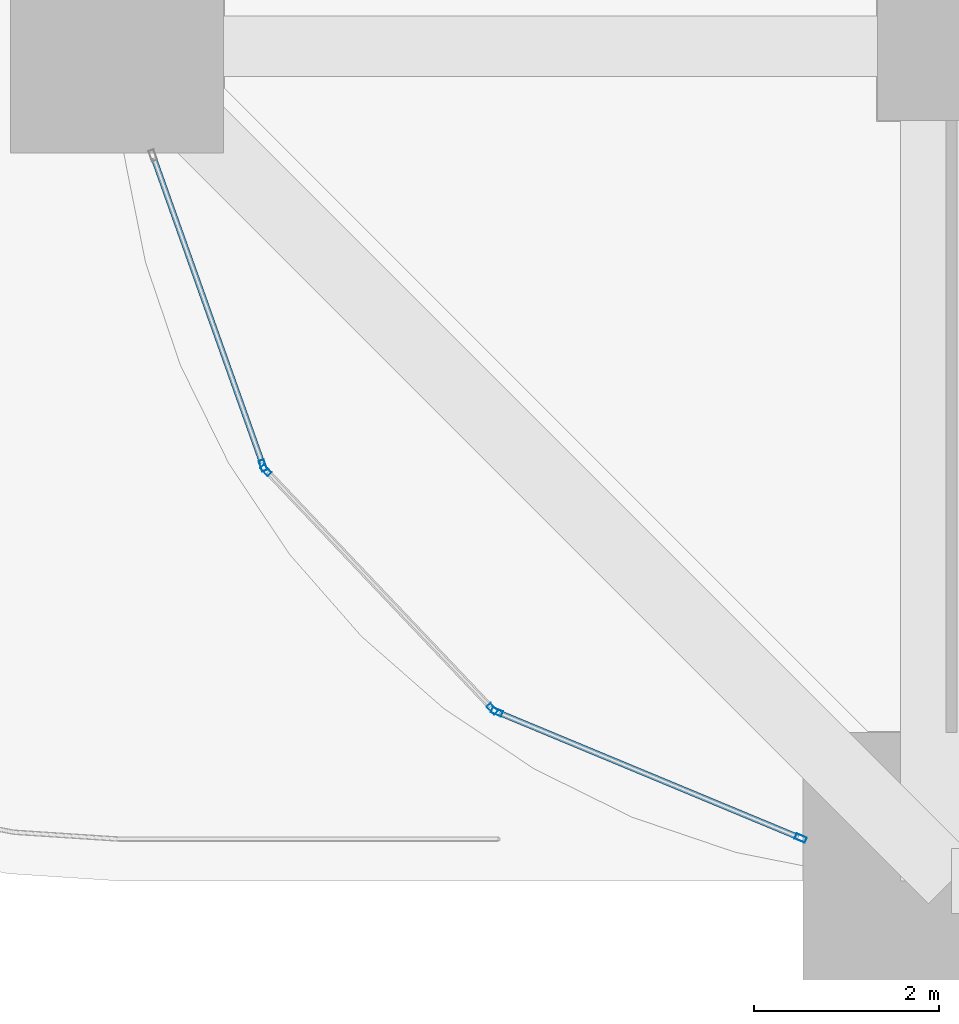
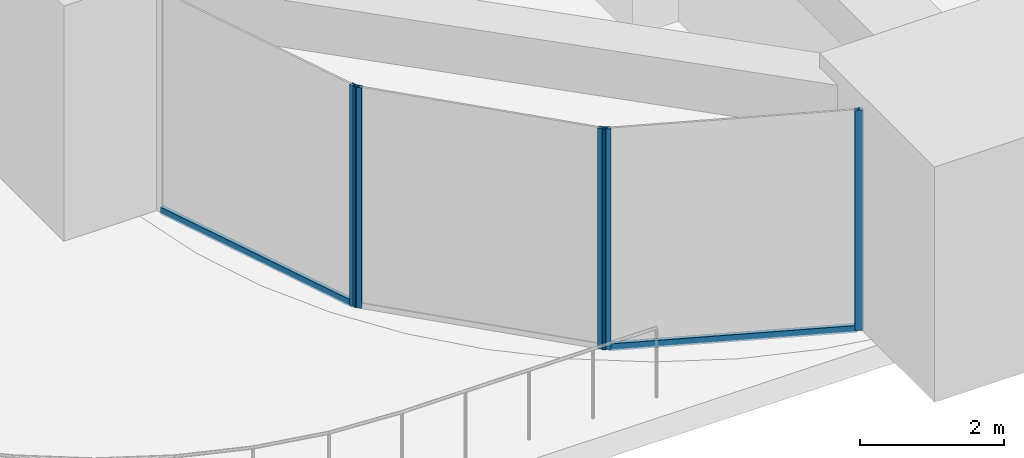
# One storey, part 2 of 40: 7 members, 3 elements without a shape of their own.
"""IFC4 building model written with IfcOpenShell, lengths in metres."""

from ifc_helpers import new_model, si_unit, direction, frame, origin, origin_2d, place, context, subcontext, project, spatial, hollow_rectangle, extrude, material, material_profile, profile_set, type_object, element, aggregate, save


model = new_model("IFC4")

# Units and contexts
model_context = context("Model", 3, precision=1e-05, world=origin(), true_north=direction((0.0, 1.0)))
body_context = subcontext(model_context, "Body", "Model", "MODEL_VIEW")
ifc_project = project(units=[si_unit("LENGTHUNIT", "METRE"), si_unit("AREAUNIT", "SQUARE_METRE"), si_unit("VOLUMEUNIT", "CUBIC_METRE"), si_unit("PLANEANGLEUNIT", "RADIAN"), si_unit("MASSUNIT", "GRAM", prefix="KILO")], contexts=[model_context])

# Site, building, storey
site_placement = place(None, origin())
site = spatial("IfcSite", under=ifc_project, at=site_placement, CompositionType="ELEMENT")
building_placement = place(site_placement, origin())
building = spatial("IfcBuilding", under=site, at=building_placement, Name="Zorevar Civic Tower", CompositionType="ELEMENT")
storey_placement = place(building_placement, frame((0.0, 0.0, 239.39990234375)))
storey = spatial("IfcBuildingStorey", under=building, at=storey_placement, Name="L58", CompositionType="ELEMENT", Elevation=239.39990234375)

# Curtain wall, member
ifc_material_1 = material(Name="Dark grey solar-control glass in black aluminium frame", Category="aluminium")
curtain_wall_type = type_object("IfcCurtainWallType", Name="Curtain wall CW5 top zone", PredefinedType="NOTDEFINED", material=ifc_material_1)
curtain_wall_1_placement = place(storey_placement, origin())
curtain_wall_1 = element("IfcCurtainWall", 1, at=curtain_wall_1_placement, inside=storey, type_object=curtain_wall_type, Name="CW5 L58", PredefinedType="NOTDEFINED")
ifc_material_2 = material(Name="Aluminium, black anodised", Category="aluminium")
ifc_material_profile_1 = material_profile(ifc_material_2, hollow_rectangle(XDim=0.06005859375, YDim=0.1201171875, WallThickness=0.0029296875, at=origin_2d()), Name="AL 120x60x3")
ifc_profile_set_1 = profile_set([ifc_material_profile_1], Name="Aluminium, black anodised")
member_type_1 = type_object("IfcMemberType", Name="CW5 mullion AL 120x60x3", PredefinedType="MULLION", material=ifc_profile_set_1)
member_1_placement = place(storey_placement, frame((10.574462890625, 4.478515625, 0.0), z_axis=(0.0, 0.0, 1.0), x_axis=(0.942273078759, 0.334845404696, 0.0)))
member_1 = element("IfcMember", 2, at=member_1_placement, type_object=member_type_1, Name="CW5 mullion 2", PredefinedType="MULLION", context=body_context, shape_type="SweptSolid", body=[
    extrude(hollow_rectangle(XDim=0.06005859375, YDim=0.1201171875, WallThickness=0.0029296875, at=origin_2d()), origin(), (0.0, 0.0, 1.0), 3.75),
])

# Curtain wall, members
curtain_wall_2_placement = place(storey_placement, origin())
curtain_wall_2 = element("IfcCurtainWall", 3, at=curtain_wall_2_placement, inside=storey, type_object=curtain_wall_type, Name="CW5 L58", PredefinedType="NOTDEFINED")
member_2_placement = place(storey_placement, frame((10.605224609375, 4.428466796875, 0.0), z_axis=(0.0, 0.0, 1.0), x_axis=(0.725384309743, 0.688344102306, 0.0)))
member_2 = element("IfcMember", 4, at=member_2_placement, type_object=member_type_1, Name="CW5 mullion 1", PredefinedType="MULLION", context=body_context, shape_type="SweptSolid", body=[
    extrude(hollow_rectangle(XDim=0.06005859375, YDim=0.1201171875, WallThickness=0.0029296875, at=origin_2d()), origin(), (0.0, 0.0, 1.0), 3.75),
])
member_3_placement = place(storey_placement, frame((13.047607421875, 1.854736328125, 0.0), z_axis=(0.0, 0.0, 1.0), x_axis=(0.725384309743, 0.688344102306, 0.0)))
member_3 = element("IfcMember", 5, at=member_3_placement, type_object=member_type_1, Name="CW5 mullion 2", PredefinedType="MULLION", context=body_context, shape_type="SweptSolid", body=[
    extrude(hollow_rectangle(XDim=0.06005859375, YDim=0.1201171875, WallThickness=0.0029296875, at=origin_2d()), origin(), (0.0, 0.0, 1.0), 3.75),
])
aggregate(curtain_wall_2, [member_2, member_3])

curtain_wall_3_placement = place(storey_placement, origin())
curtain_wall_3 = element("IfcCurtainWall", 6, at=curtain_wall_3_placement, inside=storey, type_object=curtain_wall_type, Name="CW5 L58", PredefinedType="NOTDEFINED")
member_4_placement = place(storey_placement, frame((13.095947265625, 1.821533203125, 0.0), z_axis=(0.0, 0.0, 1.0), x_axis=(0.383728339979, 0.923446025005, 0.0)))
member_4 = element("IfcMember", 7, at=member_4_placement, type_object=member_type_1, Name="CW5 mullion 1", PredefinedType="MULLION", context=body_context, shape_type="SweptSolid", body=[
    extrude(hollow_rectangle(XDim=0.06005859375, YDim=0.1201171875, WallThickness=0.0029296875, at=origin_2d()), origin(), (0.0, 0.0, 1.0), 3.75),
])
member_5_placement = place(storey_placement, frame((16.372314453125, 0.4599609375, 0.0), z_axis=(0.0, 0.0, 1.0), x_axis=(0.383728339979, 0.923446025005, 0.0)))
member_5 = element("IfcMember", 8, at=member_5_placement, type_object=member_type_1, Name="CW5 mullion 2", PredefinedType="MULLION", context=body_context, shape_type="SweptSolid", body=[
    extrude(hollow_rectangle(XDim=0.06005859375, YDim=0.1201171875, WallThickness=0.0029296875, at=origin_2d()), origin(), (0.0, 0.0, 1.0), 3.75),
])

# Member
ifc_material_3 = material(Name="Aluminium, black anodised", Category="aluminium")
ifc_material_profile_2 = material_profile(ifc_material_3, hollow_rectangle(XDim=0.06005859375, YDim=0.1201171875, WallThickness=0.0029296875, at=origin_2d()), Name="AL 120x60x3")
ifc_profile_set_2 = profile_set([ifc_material_profile_2], Name="Aluminium, black anodised")
member_type_2 = type_object("IfcMemberType", Name="CW5 transom AL 120x60x3", PredefinedType="USERDEFINED", material=ifc_profile_set_2)
member_6_placement = place(storey_placement, frame((9.396484375, 7.79345703125, 0.030029296875), z_axis=(0.334855005681, -0.942269666906, 0.0), x_axis=(0.942269666906, 0.334855005681, 0.0)))
member_6 = element("IfcMember", 9, at=member_6_placement, type_object=member_type_2, Name="CW5 sill transom", ObjectType="TRANSOM", PredefinedType="USERDEFINED", context=body_context, shape_type="SweptSolid", body=[
    extrude(hollow_rectangle(XDim=0.06005859375, YDim=0.1201171875, WallThickness=0.0029296875, at=origin_2d()), origin(), (0.0, 0.0, 1.0), 3.488037109375),
])

aggregate(curtain_wall_1, [member_1, member_6])

member_7_placement = place(storey_placement, frame((13.12353515625, 1.81005859375, 0.030029296875), z_axis=(0.923426509304, -0.383775301335, 0.0), x_axis=(0.383775301335, 0.923426509304, 0.0)))
member_7 = element("IfcMember", 10, at=member_7_placement, type_object=member_type_2, Name="CW5 sill transom", ObjectType="TRANSOM", PredefinedType="USERDEFINED", context=body_context, shape_type="SweptSolid", body=[
    extrude(hollow_rectangle(XDim=0.06005859375, YDim=0.1201171875, WallThickness=0.0029296875, at=origin_2d()), origin(), (0.0, 0.0, 1.0), 3.488037109375),
])

aggregate(curtain_wall_3, [member_4, member_5, member_7])

save(model, "model.ifc")
